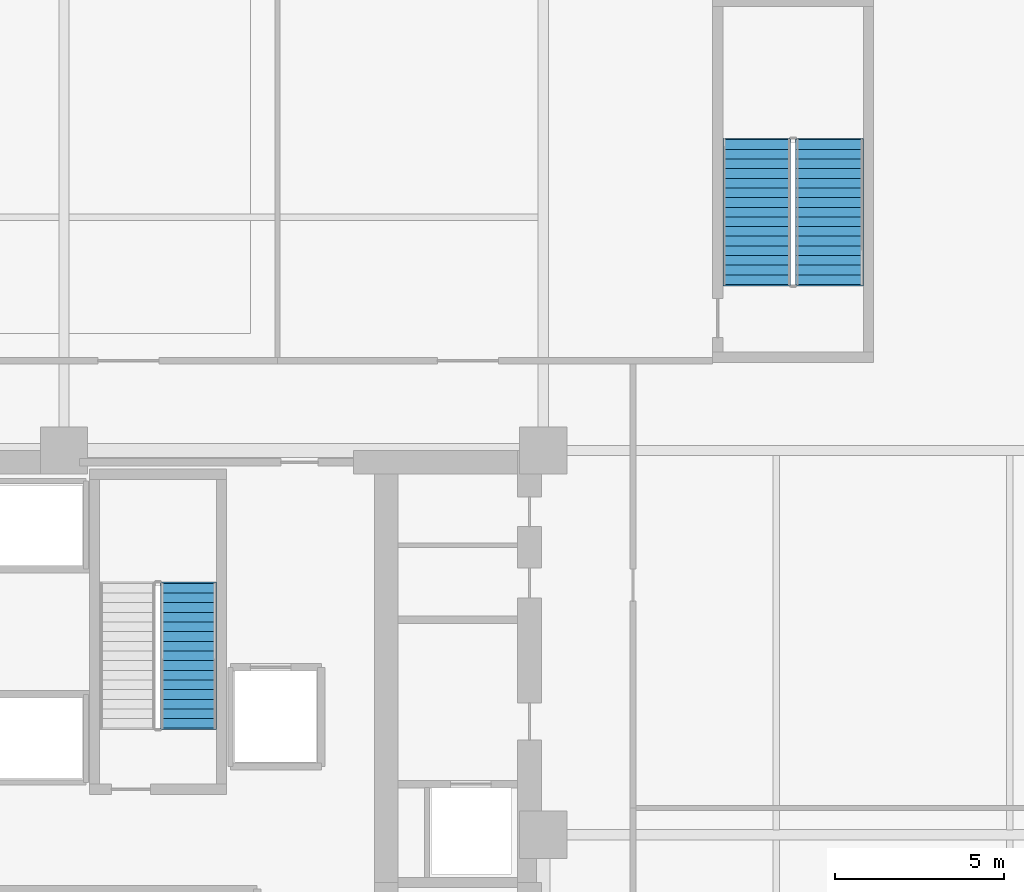
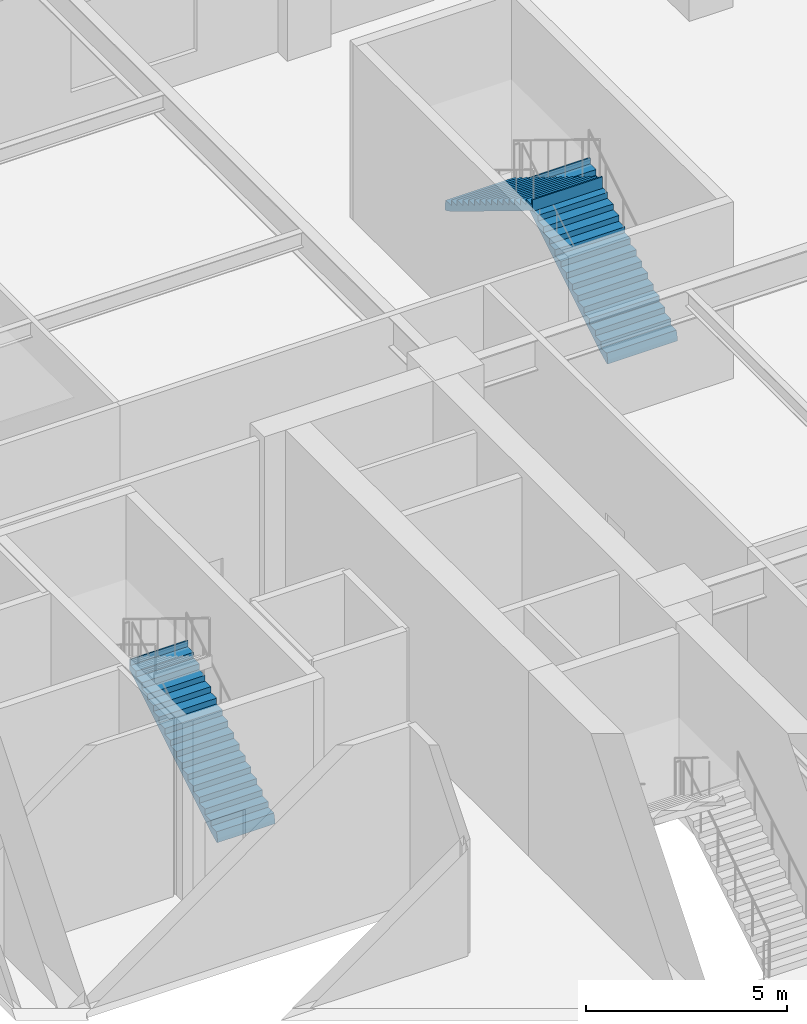
# One storey, part 15 of 21: 3 stair flights, 2 elements without a shape of their own.
"""IFC4 building model written with IfcOpenShell, lengths in metres."""

from ifc_helpers import new_model, si_unit, direction, frame, origin, place, context, subcontext, project, spatial, polyline, outline, extrude, material, type_object, element, aggregate, save


model = new_model("IFC4")

# Units and contexts
model_context = context("Model", 3, precision=1e-05, world=origin(), true_north=direction((0.0, 1.0)))
body_context = subcontext(model_context, "Body", "Model", "MODEL_VIEW")
ifc_project = project(units=[si_unit("LENGTHUNIT", "METRE"), si_unit("AREAUNIT", "SQUARE_METRE"), si_unit("VOLUMEUNIT", "CUBIC_METRE"), si_unit("PLANEANGLEUNIT", "RADIAN"), si_unit("MASSUNIT", "GRAM", prefix="KILO")], contexts=[model_context])

# Site, building, storey
site_placement = place(None, origin())
site = spatial("IfcSite", under=ifc_project, at=site_placement, CompositionType="ELEMENT")
building_placement = place(site_placement, origin())
building = spatial("IfcBuilding", under=site, at=building_placement, Name="Nhamokura Convention Tower", CompositionType="ELEMENT")
storey_placement = place(building_placement, frame((0.0, 0.0, 6.64990234375)))
storey = spatial("IfcBuildingStorey", under=building, at=storey_placement, Name="L01", CompositionType="ELEMENT", Elevation=6.64990234375)

# Stair, stair flights
ifc_material_1 = material(Name="Concrete C40/50", Category="concrete")
stair_type_1 = type_object("IfcStairType", Name="PodiumExitStair_2000", PredefinedType="HALF_TURN_STAIR", material=ifc_material_1)
stair_1_placement = place(storey_placement, origin())
stair_1 = element("IfcStair", 1, at=stair_1_placement, inside=storey, type_object=stair_type_1, Name="L01 North-East Podium Smokeproof Stair ST-05", PredefinedType="HALF_TURN_STAIR")
ifc_material_2 = material(Name="Concrete C40/50", Category="concrete")
stair_flight_type_1 = type_object("IfcStairFlightType", Name="PodiumExitStair_2000_Flight", PredefinedType="STRAIGHT", material=ifc_material_2)
stair_flight_1_placement = place(storey_placement, frame((51.800048828125, 48.25, 0.0), z_axis=(0.0, 0.0, 1.0), x_axis=(0.0, 1.0, 0.0)))
stair_flight_1 = element("IfcStairFlight", 2, at=stair_flight_1_placement, type_object=stair_flight_type_1, Name="ST-05 flight 1", NumberOfRisers=16, NumberOfTreads=15, PredefinedType="STRAIGHT", RiserHeight=0.175, TreadLength=0.285, context=body_context, shape_type="SweptSolid", body=[
    extrude(outline(polyline([(-0.0419921875, 0.0), (0.0, 0.175048828125), (0.284912109375, 0.175048828125), (0.284912109375, 0.35009765625), (0.570068359375, 0.35009765625), (0.570068359375, 0.52490234375), (0.85498046875, 0.52490234375), (0.85498046875, 0.699951171875), (1.139892578125, 0.699951171875), (1.139892578125, 0.875), (1.425048828125, 0.875), (1.425048828125, 1.050048828125), (1.7099609375, 1.050048828125), (1.7099609375, 1.22509765625), (1.9951171875, 1.22509765625), (1.9951171875, 1.39990234375), (2.280029296875, 1.39990234375), (2.280029296875, 1.574951171875), (2.56494140625, 1.574951171875), (2.56494140625, 1.75), (2.85009765625, 1.75), (2.85009765625, 1.925048828125), (3.135009765625, 1.925048828125), (3.135009765625, 2.10009765625), (3.419921875, 2.10009765625), (3.419921875, 2.27490234375), (3.705078125, 2.27490234375), (3.705078125, 2.449951171875), (3.989990234375, 2.449951171875), (3.989990234375, 2.625), (4.27490234375, 2.625), (4.27490234375, 2.800048828125), (4.31689453125, 2.800048828125), (4.31689453125, 2.448974609375), (4.27490234375, 2.448974609375), (0.286376953125, 0.0), (0.02001953125, -0.1298828125), (-0.0419921875, -0.1298828125), (-0.0419921875, 0.0)])), frame((0.0, 1.0, 0.0), z_axis=(0.0, -1.0, 0.0), x_axis=(1.0, 0.0, 0.0)), (0.0, 0.0, 1.0), 2.0),
])
stair_flight_2_placement = place(storey_placement, frame((49.64990234375, 52.52490234375, 2.800048828125), z_axis=(0.0, 0.0, 1.0), x_axis=(0.0, -1.0, 0.0)))
stair_flight_2 = element("IfcStairFlight", 3, at=stair_flight_2_placement, type_object=stair_flight_type_1, Name="ST-05 flight 2", NumberOfRisers=16, NumberOfTreads=15, PredefinedType="STRAIGHT", RiserHeight=0.175, TreadLength=0.285, context=body_context, shape_type="SweptSolid", body=[
    extrude(outline(polyline([(-0.0419921875, 0.0), (0.0, 0.175048828125), (0.284912109375, 0.175048828125), (0.284912109375, 0.35009765625), (0.570068359375, 0.35009765625), (0.570068359375, 0.52490234375), (0.85498046875, 0.52490234375), (0.85498046875, 0.699951171875), (1.139892578125, 0.699951171875), (1.139892578125, 0.875), (1.425048828125, 0.875), (1.425048828125, 1.050048828125), (1.7099609375, 1.050048828125), (1.7099609375, 1.22509765625), (1.9951171875, 1.22509765625), (1.9951171875, 1.39990234375), (2.280029296875, 1.39990234375), (2.280029296875, 1.574951171875), (2.56494140625, 1.574951171875), (2.56494140625, 1.75), (2.85009765625, 1.75), (2.85009765625, 1.925048828125), (3.135009765625, 1.925048828125), (3.135009765625, 2.10009765625), (3.419921875, 2.10009765625), (3.419921875, 2.27490234375), (3.705078125, 2.27490234375), (3.705078125, 2.449951171875), (3.989990234375, 2.449951171875), (3.989990234375, 2.625), (4.27490234375, 2.625), (4.27490234375, 2.800048828125), (4.31689453125, 2.800048828125), (4.31689453125, 2.448974609375), (4.27490234375, 2.448974609375), (0.286376953125, 0.0), (0.02001953125, -0.1298828125), (-0.0419921875, -0.1298828125), (-0.0419921875, 0.0)])), frame((0.0, 1.0, 0.0), z_axis=(0.0, -1.0, 0.0), x_axis=(1.0, 0.0, 0.0)), (0.0, 0.0, 1.0), 2.0),
])
aggregate(stair_1, [stair_flight_1, stair_flight_2])

# Stair, stair flight
ifc_material_3 = material(Name="Concrete C40/50", Category="concrete")
stair_type_2 = type_object("IfcStairType", Name="TowerCoreStair_1650", PredefinedType="HALF_TURN_STAIR", material=ifc_material_3)
stair_2_placement = place(storey_placement, origin())
stair_2 = element("IfcStair", 4, at=stair_2_placement, inside=storey, type_object=stair_type_2, Name="L01 North Core Smokeproof Stair ST-03", PredefinedType="HALF_TURN_STAIR")
ifc_material_4 = material(Name="Concrete C40/50", Category="concrete")
stair_flight_type_2 = type_object("IfcStairFlightType", Name="TowerCoreStair_1650_Flight", PredefinedType="STRAIGHT", material=ifc_material_4)
stair_flight_3_placement = place(storey_placement, frame((32.875, 35.14990234375, 0.0), z_axis=(0.0, 0.0, 1.0), x_axis=(0.0, 1.0, 0.0)))
stair_flight_3 = element("IfcStairFlight", 5, at=stair_flight_3_placement, type_object=stair_flight_type_2, Name="ST-03 flight 1", NumberOfRisers=16, NumberOfTreads=15, PredefinedType="STRAIGHT", RiserHeight=0.175, TreadLength=0.285, context=body_context, shape_type="SweptSolid", body=[
    extrude(outline(polyline([(-0.0419921875, 0.0), (0.0, 0.175048828125), (0.284912109375, 0.175048828125), (0.284912109375, 0.35009765625), (0.570068359375, 0.35009765625), (0.570068359375, 0.52490234375), (0.85498046875, 0.52490234375), (0.85498046875, 0.699951171875), (1.139892578125, 0.699951171875), (1.139892578125, 0.875), (1.425048828125, 0.875), (1.425048828125, 1.050048828125), (1.7099609375, 1.050048828125), (1.7099609375, 1.22509765625), (1.9951171875, 1.22509765625), (1.9951171875, 1.39990234375), (2.280029296875, 1.39990234375), (2.280029296875, 1.574951171875), (2.56494140625, 1.574951171875), (2.56494140625, 1.75), (2.85009765625, 1.75), (2.85009765625, 1.925048828125), (3.135009765625, 1.925048828125), (3.135009765625, 2.10009765625), (3.419921875, 2.10009765625), (3.419921875, 2.27490234375), (3.705078125, 2.27490234375), (3.705078125, 2.449951171875), (3.989990234375, 2.449951171875), (3.989990234375, 2.625), (4.27490234375, 2.625), (4.27490234375, 2.800048828125), (4.31689453125, 2.800048828125), (4.31689453125, 2.448974609375), (4.27490234375, 2.448974609375), (0.286376953125, 0.0), (0.02001953125, -0.1298828125), (-0.0419921875, -0.1298828125), (-0.0419921875, 0.0)])), frame((0.0, 0.824951171875, 0.0), z_axis=(0.0, -1.0, 0.0), x_axis=(1.0, 0.0, 0.0)), (0.0, 0.0, 1.0), 1.64990234375),
])
aggregate(stair_2, [stair_flight_3])

save(model, "model.ifc")
